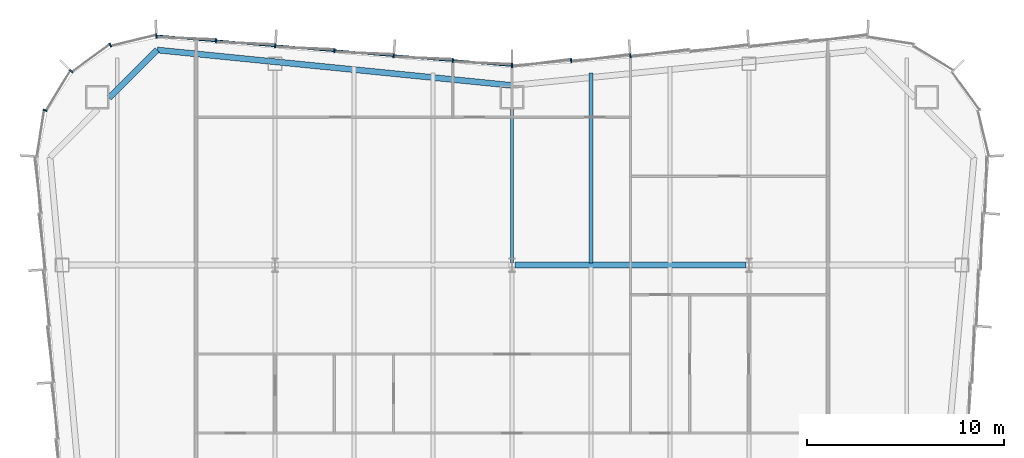
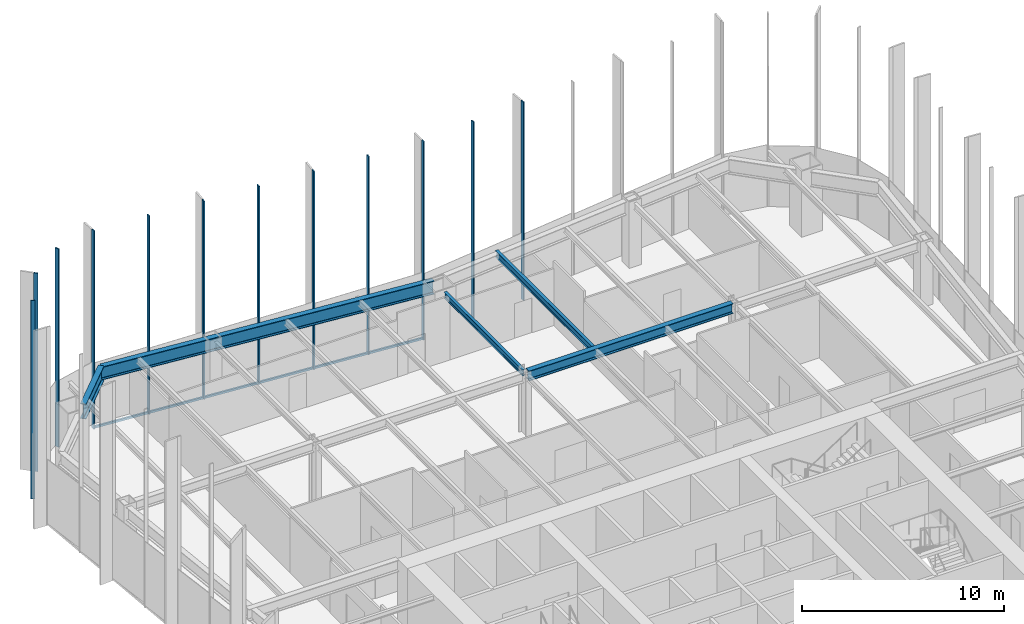
# One storey, part 6 of 14: 13 members, 5 beams, 2 elements without a shape of their own.
"""IFC4 building model written with IfcOpenShell, lengths in metres."""

from ifc_helpers import new_model, si_unit, direction, frame, origin, origin_2d, place, context, subcontext, project, spatial, rectangle, i_section, extrude, material, material_profile, profile_set, type_object, element, aggregate, save


model = new_model("IFC4")

# Units and contexts
model_context = context("Model", 3, precision=1e-05, world=origin(), true_north=direction((0.0, 1.0)))
body_context = subcontext(model_context, "Body", "Model", "MODEL_VIEW")
ifc_project = project(units=[si_unit("LENGTHUNIT", "METRE"), si_unit("AREAUNIT", "SQUARE_METRE"), si_unit("VOLUMEUNIT", "CUBIC_METRE"), si_unit("PLANEANGLEUNIT", "RADIAN"), si_unit("MASSUNIT", "GRAM", prefix="KILO")], contexts=[model_context])

# Site, building, storey
site_placement = place(None, origin())
site = spatial("IfcSite", under=ifc_project, at=site_placement, CompositionType="ELEMENT")
building_placement = place(site_placement, origin())
building = spatial("IfcBuilding", under=site, at=building_placement, Name="Verdant Reach Tower", CompositionType="ELEMENT")
storey_placement = place(building_placement, frame((0.0, 0.0, 150.0)))
storey = spatial("IfcBuildingStorey", under=building, at=storey_placement, Name="L34", CompositionType="ELEMENT", Elevation=150.0)

# Curtain wall, members
ifc_material_1 = material(Name="Anodised aluminium", Category="aluminium")
curtain_wall_type = type_object("IfcCurtainWallType", Name="EN-CW SYSTEM Z2", PredefinedType="NOTDEFINED", material=ifc_material_1)
curtain_wall_1_placement = place(storey_placement, origin())
curtain_wall_1 = element("IfcCurtainWall", 1, at=curtain_wall_1_placement, inside=storey, type_object=curtain_wall_type, Name="Curtain wall north, L34", PredefinedType="NOTDEFINED")
ifc_material_profile_1 = material_profile(ifc_material_1, rectangle(XDim=0.2119140625, YDim=0.06396484375, at=origin_2d()), Name="Mullion 64x212")
ifc_profile_set_1 = profile_set([ifc_material_profile_1], Name="Anodised aluminium")
member_type_1 = type_object("IfcMemberType", Name="EN-MULLION Z2", PredefinedType="MULLION", material=ifc_profile_set_1)
member_1_placement = place(storey_placement, frame((5.9912109375, 60.105712890625, -0.35009765625), z_axis=(0.0, 0.0, 1.0), x_axis=(-0.083045479859, 0.996545758244, 0.0)))
member_1 = element("IfcMember", 2, at=member_1_placement, type_object=member_type_1, Name="Mullion north face part 1 5, L34", PredefinedType="MULLION", context=body_context, shape_type="SweptSolid", body=[
    extrude(rectangle(XDim=0.2119140625, YDim=0.06396484375, at=origin_2d()), origin(), (0.0, 0.0, 1.0), 12.0),
])
member_2_placement = place(storey_placement, frame((2.9912109375, 59.855712890625, -0.35009765625), z_axis=(0.0, 0.0, 1.0), x_axis=(-0.083045479859, 0.996545758244, 0.0)))
member_2 = element("IfcMember", 3, at=member_2_placement, type_object=member_type_1, Name="Mullion north face part 1 6, L34", PredefinedType="MULLION", context=body_context, shape_type="SweptSolid", body=[
    extrude(rectangle(XDim=0.2119140625, YDim=0.06396484375, at=origin_2d()), origin(), (0.0, 0.0, 1.0), 12.0),
])
member_3_placement = place(storey_placement, frame((0.0, 59.60595703125, -0.35009765625), z_axis=(0.0, 0.0, 1.0), x_axis=(0.0, 1.0, 0.0)))
member_3 = element("IfcMember", 4, at=member_3_placement, type_object=member_type_1, Name="Mullion north face part 2 1, L34", PredefinedType="MULLION", context=body_context, shape_type="SweptSolid", body=[
    extrude(rectangle(XDim=0.2119140625, YDim=0.06396484375, at=origin_2d()), origin(), (0.0, 0.0, 1.0), 12.0),
])
member_4_placement = place(storey_placement, frame((-2.9912109375, 59.855712890625, -0.35009765625), z_axis=(0.0, 0.0, 1.0), x_axis=(0.083045479859, 0.996545758244, 0.0)))
member_4 = element("IfcMember", 5, at=member_4_placement, type_object=member_type_1, Name="Mullion north face part 2 2, L34", PredefinedType="MULLION", context=body_context, shape_type="SweptSolid", body=[
    extrude(rectangle(XDim=0.2119140625, YDim=0.06396484375, at=origin_2d()), origin(), (0.0, 0.0, 1.0), 12.0),
])
member_5_placement = place(storey_placement, frame((-5.9912109375, 60.105712890625, -0.35009765625), z_axis=(0.0, 0.0, 1.0), x_axis=(0.083045479859, 0.996545758244, 0.0)))
member_5 = element("IfcMember", 6, at=member_5_placement, type_object=member_type_1, Name="Mullion north face part 2 3, L34", PredefinedType="MULLION", context=body_context, shape_type="SweptSolid", body=[
    extrude(rectangle(XDim=0.2119140625, YDim=0.06396484375, at=origin_2d()), origin(), (0.0, 0.0, 1.0), 12.0),
])
member_6_placement = place(storey_placement, frame((-8.9912109375, 60.355712890625, -0.35009765625), z_axis=(0.0, 0.0, 1.0), x_axis=(0.083045479859, 0.996545758244, 0.0)))
member_6 = element("IfcMember", 7, at=member_6_placement, type_object=member_type_1, Name="Mullion north face part 2 4, L34", PredefinedType="MULLION", context=body_context, shape_type="SweptSolid", body=[
    extrude(rectangle(XDim=0.2119140625, YDim=0.06396484375, at=origin_2d()), origin(), (0.0, 0.0, 1.0), 12.0),
])
member_7_placement = place(storey_placement, frame((-11.9912109375, 60.605712890625, -0.35009765625), z_axis=(0.0, 0.0, 1.0), x_axis=(0.083045479859, 0.996545758244, 0.0)))
member_7 = element("IfcMember", 8, at=member_7_placement, type_object=member_type_1, Name="Mullion north face part 2 5, L34", PredefinedType="MULLION", context=body_context, shape_type="SweptSolid", body=[
    extrude(rectangle(XDim=0.2119140625, YDim=0.06396484375, at=origin_2d()), origin(), (0.0, 0.0, 1.0), 12.0),
])
member_8_placement = place(storey_placement, frame((-14.9912109375, 60.855712890625, -0.35009765625), z_axis=(0.0, 0.0, 1.0), x_axis=(0.083045479859, 0.996545758244, 0.0)))
member_8 = element("IfcMember", 9, at=member_8_placement, type_object=member_type_1, Name="Mullion north face part 2 6, L34", PredefinedType="MULLION", context=body_context, shape_type="SweptSolid", body=[
    extrude(rectangle(XDim=0.2119140625, YDim=0.06396484375, at=origin_2d()), origin(), (0.0, 0.0, 1.0), 12.0),
])

curtain_wall_2_placement = place(storey_placement, origin())
curtain_wall_2 = element("IfcCurtainWall", 10, at=curtain_wall_2_placement, inside=storey, type_object=curtain_wall_type, Name="Curtain wall north-west corner, L34", PredefinedType="NOTDEFINED")
member_9_placement = place(storey_placement, frame((-18.006103515625, 61.105712890625, -0.35009765625), z_axis=(0.0, 0.0, 1.0), x_axis=(-0.056569187765, 0.998398681387, 0.0)))
member_9 = element("IfcMember", 11, at=member_9_placement, type_object=member_type_1, Name="Mullion north-west corner 1, L34", PredefinedType="MULLION", context=body_context, shape_type="SweptSolid", body=[
    extrude(rectangle(XDim=0.2119140625, YDim=0.06396484375, at=origin_2d()), origin(), (0.0, 0.0, 1.0), 12.0),
])
member_10_placement = place(storey_placement, frame((-20.336669921875, 60.64111328125, -0.35009765625), z_axis=(0.0, 0.0, 1.0), x_axis=(-0.382693853776, 0.923875215753, 0.0)))
member_10 = element("IfcMember", 12, at=member_10_placement, type_object=member_type_1, Name="Mullion north-west corner 2, L34", PredefinedType="MULLION", context=body_context, shape_type="SweptSolid", body=[
    extrude(rectangle(XDim=0.2119140625, YDim=0.06396484375, at=origin_2d()), origin(), (0.0, 0.0, 1.0), 12.0),
])
member_11_placement = place(storey_placement, frame((-22.317626953125, 59.317626953125, -0.35009765625), z_axis=(0.0, 0.0, 1.0), x_axis=(-0.707106781187, 0.707106781187, 0.0)))
member_11 = element("IfcMember", 13, at=member_11_placement, type_object=member_type_1, Name="Mullion north-west corner 3, L34", PredefinedType="MULLION", context=body_context, shape_type="SweptSolid", body=[
    extrude(rectangle(XDim=0.2119140625, YDim=0.06396484375, at=origin_2d()), origin(), (0.0, 0.0, 1.0), 12.0),
])
member_12_placement = place(storey_placement, frame((-23.64111328125, 57.336669921875, -0.35009765625), z_axis=(0.0, 0.0, 1.0), x_axis=(-0.923875215753, 0.382693853776, 0.0)))
member_12 = element("IfcMember", 14, at=member_12_placement, type_object=member_type_1, Name="Mullion north-west corner 4, L34", PredefinedType="MULLION", context=body_context, shape_type="SweptSolid", body=[
    extrude(rectangle(XDim=0.2119140625, YDim=0.06396484375, at=origin_2d()), origin(), (0.0, 0.0, 1.0), 12.0),
])
aggregate(curtain_wall_2, [member_9, member_10, member_11, member_12])

# Member
ifc_material_profile_2 = material_profile(ifc_material_1, rectangle(XDim=0.10009765625, YDim=0.1240234375, at=origin_2d()), Name="Transom 124x100")
ifc_profile_set_2 = profile_set([ifc_material_profile_2], Name="Anodised aluminium")
member_type_2 = type_object("IfcMemberType", Name="EN-TRANSOM Z2", PredefinedType="USERDEFINED", material=ifc_profile_set_2)
member_13_placement = place(storey_placement, frame((-0.031982421875, 59.608642578125, -0.2880859375), z_axis=(-0.996548282776, 0.083015179915, 0.0), x_axis=(-0.083015179915, -0.996548282776, 0.0)))
member_13 = element("IfcMember", 15, at=member_13_placement, type_object=member_type_2, Name="Transom north face part 2 1.1, L34", ObjectType="TRANSOM", PredefinedType="USERDEFINED", context=body_context, shape_type="SweptSolid", body=[
    extrude(rectangle(XDim=0.10009765625, YDim=0.1240234375, at=origin_2d()), origin(), (0.0, 0.0, 1.0), 18.00439453125),
])

aggregate(curtain_wall_1, [member_1, member_2, member_3, member_4, member_5, member_6, member_7, member_8, member_13])

# Beams
ifc_material_2 = material(Name="Steel S355", Category="steel")
ifc_material_profile_3 = material_profile(ifc_material_2, i_section(OverallWidth=0.300048828125, OverallDepth=0.60009765625, WebThickness=0.015380859375, FlangeThickness=0.030029296875, FilletRadius=0.027099609375, at=origin_2d()), Name="HEB 600")
ifc_profile_set_3 = profile_set([ifc_material_profile_3], Name="Steel S355")
beam_type_1 = type_object("IfcBeamType", Name="ST-BEAM-HEB600", PredefinedType="BEAM", material=ifc_profile_set_3)
beam_1_placement = place(storey_placement, frame((0.154052734375, 49.5, 3.570068359375), z_axis=(1.0, 0.0, 0.0), x_axis=(0.0, 1.0, 0.0)))
element("IfcBeam", 16, at=beam_1_placement, inside=storey, type_object=beam_type_1, Name="Row girder, L34", PredefinedType="BEAM", context=body_context, shape_type="SweptSolid", body=[
    extrude(i_section(OverallWidth=0.300048828125, OverallDepth=0.60009765625, WebThickness=0.015380859375, FlangeThickness=0.030029296875, FilletRadius=0.027099609375, at=origin_2d()), origin(), (0.0, 0.0, 1.0), 11.69189453125),
])
ifc_material_profile_4 = material_profile(ifc_material_2, i_section(OverallWidth=0.169921875, OverallDepth=0.360107421875, WebThickness=0.008056640625, FlangeThickness=0.0126953125, FilletRadius=0.01806640625, at=origin_2d()), Name="IPE 360")
ifc_profile_set_4 = profile_set([ifc_material_profile_4], Name="Steel S355")
beam_type_2 = type_object("IfcBeamType", Name="ST-JOIST-IPE360", PredefinedType="JOIST", material=ifc_profile_set_4)
beam_2_placement = place(storey_placement, frame((0.0, 49.60009765625, 3.68994140625), z_axis=(0.0, 1.0, 0.0), x_axis=(-1.0, 0.0, 0.0)))
element("IfcBeam", 17, at=beam_2_placement, inside=storey, type_object=beam_type_2, Name="Floor joist, L34", PredefinedType="JOIST", context=body_context, shape_type="SweptSolid", body=[
    extrude(i_section(OverallWidth=0.169921875, OverallDepth=0.360107421875, WebThickness=0.008056640625, FlangeThickness=0.0126953125, FilletRadius=0.01806640625, at=origin_2d()), origin(), (0.0, 0.0, 1.0), 7.7998046875),
])
ifc_material_profile_5 = material_profile(ifc_material_2, i_section(OverallWidth=0.179931640625, OverallDepth=0.39990234375, WebThickness=0.008544921875, FlangeThickness=0.013427734375, FilletRadius=0.02099609375, at=origin_2d()), Name="IPE 400")
ifc_profile_set_5 = profile_set([ifc_material_profile_5], Name="Steel S355")
beam_type_3 = type_object("IfcBeamType", Name="ST-JOIST-IPE400", PredefinedType="JOIST", material=ifc_profile_set_5)
beam_3_placement = place(storey_placement, frame((4.0, 49.60009765625, 3.669921875), z_axis=(0.0, 1.0, 0.0), x_axis=(-1.0, 0.0, 0.0)))
element("IfcBeam", 18, at=beam_3_placement, inside=storey, type_object=beam_type_3, Name="Floor joist, L34", PredefinedType="JOIST", context=body_context, shape_type="SweptSolid", body=[
    extrude(i_section(OverallWidth=0.179931640625, OverallDepth=0.39990234375, WebThickness=0.008544921875, FlangeThickness=0.013427734375, FilletRadius=0.02099609375, at=origin_2d()), origin(), (0.0, 0.0, 1.0), 9.631103515625),
])
ifc_material_profile_6 = material_profile(ifc_material_2, i_section(OverallWidth=0.300048828125, OverallDepth=0.800048828125, WebThickness=0.017578125, FlangeThickness=0.032958984375, FilletRadius=0.030029296875, at=origin_2d()), Name="HEB 800")
ifc_profile_set_6 = profile_set([ifc_material_profile_6], Name="Steel S355")
beam_type_4 = type_object("IfcBeamType", Name="ST-SPANDREL-HEB800", PredefinedType="SPANDREL", material=ifc_profile_set_6)
beam_4_placement = place(storey_placement, frame((-17.9658203125, 60.39501953125, 3.469970703125), z_axis=(0.995046289869, -0.099412680371, 0.0), x_axis=(0.099412680371, 0.995046289869, 0.0)))
element("IfcBeam", 19, at=beam_4_placement, inside=storey, type_object=beam_type_4, Name="Edge beam, L34", PredefinedType="SPANDREL", context=body_context, shape_type="SweptSolid", body=[
    extrude(i_section(OverallWidth=0.300048828125, OverallDepth=0.800048828125, WebThickness=0.017578125, FlangeThickness=0.032958984375, FilletRadius=0.030029296875, at=origin_2d()), origin(), (0.0, 0.0, 1.0), 18.05517578125),
])
ifc_material_profile_7 = material_profile(ifc_material_2, i_section(OverallWidth=0.302001953125, OverallDepth=0.909912109375, WebThickness=0.02099609375, FlangeThickness=0.0400390625, FilletRadius=0.030029296875, at=origin_2d()), Name="HEM 900")
ifc_profile_set_7 = profile_set([ifc_material_profile_7], Name="Steel S355")
beam_type_5 = type_object("IfcBeamType", Name="ST-SPANDREL-HEM900", PredefinedType="SPANDREL", material=ifc_profile_set_7)
beam_5_placement = place(storey_placement, frame((-20.39990234375, 57.9599609375, 3.4150390625), z_axis=(0.70696494852, 0.70724858541, 0.0), x_axis=(-0.70724858541, 0.70696494852, 0.0)))
element("IfcBeam", 20, at=beam_5_placement, inside=storey, type_object=beam_type_5, Name="Edge beam, L34", PredefinedType="SPANDREL", context=body_context, shape_type="SweptSolid", body=[
    extrude(i_section(OverallWidth=0.302001953125, OverallDepth=0.909912109375, WebThickness=0.02099609375, FlangeThickness=0.0400390625, FilletRadius=0.030029296875, at=origin_2d()), origin(), (0.0, 0.0, 1.0), 3.443115234375),
])

save(model, "model.ifc")
